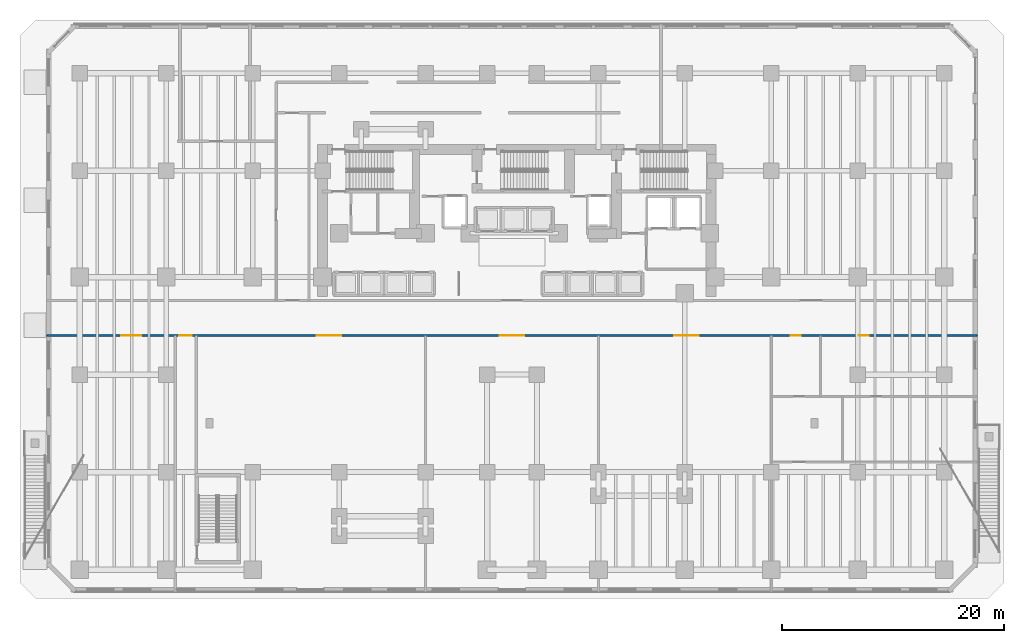
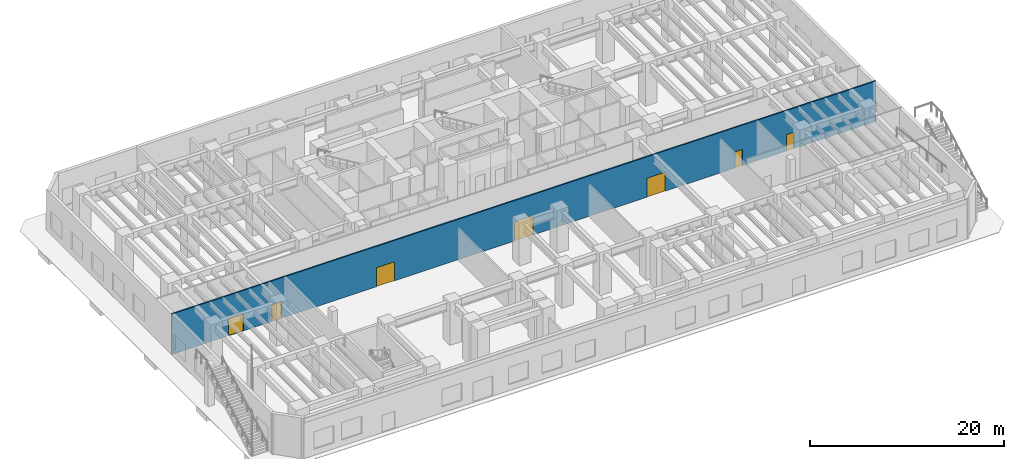
# One storey, part 6 of 17: 7 doors, 1 wall, 7 openings.
"""IFC4 building model written with IfcOpenShell, lengths in metres."""

from ifc_helpers import new_model, si_unit, direction, frame, frame_2d, origin, place, context, subcontext, project, spatial, rectangle, extrude, material, layer, layer_set, type_object, element, fill, save


model = new_model("IFC4")

# Units and contexts
model_context = context("Model", 3, precision=1e-05, world=origin(), true_north=direction((0.0, 1.0)))
body_context = subcontext(model_context, "Body", "Model", "MODEL_VIEW")
ifc_project = project(units=[si_unit("LENGTHUNIT", "METRE"), si_unit("AREAUNIT", "SQUARE_METRE"), si_unit("VOLUMEUNIT", "CUBIC_METRE"), si_unit("PLANEANGLEUNIT", "RADIAN"), si_unit("MASSUNIT", "GRAM", prefix="KILO")], contexts=[model_context])

# Site, building, storey
site_placement = place(None, origin())
site = spatial("IfcSite", under=ifc_project, at=site_placement, CompositionType="ELEMENT")
building_placement = place(site_placement, origin())
building = spatial("IfcBuilding", under=site, at=building_placement, Name="Kestravale Grand Hotel", CompositionType="ELEMENT")
storey_placement = place(building_placement, origin())
storey = spatial("IfcBuildingStorey", under=building, at=storey_placement, Name="L00", CompositionType="ELEMENT", Elevation=0.0)

# Wall, openings, doors
ifc_material_1 = material(Name="Acoustic fire-rated gypsum board partition", Category="other")
ifc_layer = layer(ifc_material_1, 0.159912109375)
ifc_layer_set = layer_set([ifc_layer], Name="IW-CORR-160")
wall_type = type_object("IfcWallType", Name="IW-CORR-160", PredefinedType="PARTITIONING", material=ifc_layer_set)
wall_placement = place(storey_placement, frame((-2.97998046875, 23.52001953125, 0.0), z_axis=(0.0, 0.0, 1.0), x_axis=(1.0, 0.0, 0.0)))
wall = element("IfcWall", 1, at=wall_placement, inside=storey, type_object=wall_type, Name="W-L00-MC-S", PredefinedType="PARTITIONING", context=body_context, shape_type="SweptSolid", body=[
    extrude(rectangle(XDim=83.9599609375, YDim=0.159912109375, at=frame_2d((41.97998046875, 0.0))), origin(), (0.0, 0.0, 1.0), 5.10009765625),
])
opening_1_placement = place(wall_placement, frame((11.9599609375, 0.0, 0.0)))
opening_1 = element("IfcOpeningElement", 2, at=opening_1_placement, cuts=wall, Name="Opening D-CORR-1100", PredefinedType="OPENING", context=body_context, shape_type="SweptSolid", body=[
    extrude(rectangle(XDim=1.10009765625, YDim=2.14990234375, at=frame_2d((0.550048828125, 1.074951171875))), frame((0.0, 0.08984375, 0.0), z_axis=(0.0, -1.0, 0.0), x_axis=(1.0, 0.0, 0.0)), (0.0, 0.0, 1.0), 0.179931640625),
])
opening_2_placement = place(wall_placement, frame((6.72998046875, 0.0, 0.0)))
opening_2 = element("IfcOpeningElement", 3, at=opening_2_placement, cuts=wall, Name="Opening D-CORR-1800", PredefinedType="OPENING", context=body_context, shape_type="SweptSolid", body=[
    extrude(rectangle(XDim=1.800048828125, YDim=2.199951171875, at=frame_2d((0.89990234375, 1.10009765625))), frame((0.0, 0.08984375, 0.0), z_axis=(0.0, -1.0, 0.0), x_axis=(1.0, 0.0, 0.0)), (0.0, 0.0, 1.0), 0.179931640625),
])
opening_3_placement = place(wall_placement, frame((24.3798828125, 0.0, 0.0)))
opening_3 = element("IfcOpeningElement", 4, at=opening_3_placement, cuts=wall, Name="Opening D-BAL-2200", PredefinedType="OPENING", context=body_context, shape_type="SweptSolid", body=[
    extrude(rectangle(XDim=2.199951171875, YDim=2.39990234375, at=frame_2d((1.10009765625, 1.199951171875))), frame((0.0, 0.08984375, 0.0), z_axis=(0.0, -1.0, 0.0), x_axis=(1.0, 0.0, 0.0)), (0.0, 0.0, 1.0), 0.179931640625),
])
opening_4_placement = place(wall_placement, frame((40.8798828125, 0.0, 0.0)))
opening_4 = element("IfcOpeningElement", 5, at=opening_4_placement, cuts=wall, Name="Opening D-BAL-2200", PredefinedType="OPENING", context=body_context, shape_type="SweptSolid", body=[
    extrude(rectangle(XDim=2.199951171875, YDim=2.39990234375, at=frame_2d((1.10009765625, 1.199951171875))), frame((0.0, 0.08984375, 0.0), z_axis=(0.0, -1.0, 0.0), x_axis=(1.0, 0.0, 0.0)), (0.0, 0.0, 1.0), 0.179931640625),
])
opening_5_placement = place(wall_placement, frame((56.6298828125, 0.0, 0.0)))
opening_5 = element("IfcOpeningElement", 6, at=opening_5_placement, cuts=wall, Name="Opening D-BAL-2200", PredefinedType="OPENING", context=body_context, shape_type="SweptSolid", body=[
    extrude(rectangle(XDim=2.199951171875, YDim=2.39990234375, at=frame_2d((1.10009765625, 1.199951171875))), frame((0.0, 0.08984375, 0.0), z_axis=(0.0, -1.0, 0.0), x_axis=(1.0, 0.0, 0.0)), (0.0, 0.0, 1.0), 0.179931640625),
])
opening_6_placement = place(wall_placement, frame((67.139892578125, 0.0, 0.0)))
opening_6 = element("IfcOpeningElement", 7, at=opening_6_placement, cuts=wall, Name="Opening D-BATH-880", PredefinedType="OPENING", context=body_context, shape_type="SweptSolid", body=[
    extrude(rectangle(XDim=0.8798828125, YDim=2.050048828125, at=frame_2d((0.43994140625, 1.02490234375))), frame((0.0, 0.08984375, 0.0), z_axis=(0.0, -1.0, 0.0), x_axis=(1.0, 0.0, 0.0)), (0.0, 0.0, 1.0), 0.179931640625),
])
opening_7_placement = place(wall_placement, frame((73.2900390625, 0.0, 0.0)))
opening_7 = element("IfcOpeningElement", 8, at=opening_7_placement, cuts=wall, Name="Opening D-BATH-880", PredefinedType="OPENING", context=body_context, shape_type="SweptSolid", body=[
    extrude(rectangle(XDim=0.8798828125, YDim=2.050048828125, at=frame_2d((0.43994140625, 1.02490234375))), frame((0.0, 0.08984375, 0.0), z_axis=(0.0, -1.0, 0.0), x_axis=(1.0, 0.0, 0.0)), (0.0, 0.0, 1.0), 0.179931640625),
])
ifc_material_2 = material(Name="Monumental walnut and bronze ballroom double fire door", Category="wood")
door_type_1 = type_object("IfcDoorType", Name="D-BAL-2200", OperationType="NOTDEFINED", PredefinedType="DOOR", material=ifc_material_2)
door_1_placement = place(opening_3_placement, origin())
door_1 = element("IfcDoor", 9, at=door_1_placement, inside=storey, type_object=door_type_1, Name="D-L00-LOBBY", OperationType="DOUBLE_DOOR_SINGLE_SWING", OverallHeight=2.39990234375, OverallWidth=2.199951171875, PredefinedType="DOOR", context=body_context, shape_type="SweptSolid", body=[
    extrude(rectangle(XDim=2.199951171875, YDim=2.39990234375, at=frame_2d((1.10009765625, 1.199951171875))), frame((0.0, 0.02490234375, 0.0), z_axis=(0.0, -1.0, 0.0), x_axis=(1.0, 0.0, 0.0)), (0.0, 0.0, 1.0), 0.050048828125),
])
fill(opening_3, door_1)
door_2_placement = place(opening_4_placement, origin())
door_2 = element("IfcDoor", 10, at=door_2_placement, inside=storey, type_object=door_type_1, Name="D-L00-OBSTICK", OperationType="DOUBLE_DOOR_SINGLE_SWING", OverallHeight=2.39990234375, OverallWidth=2.199951171875, PredefinedType="DOOR", context=body_context, shape_type="SweptSolid", body=[
    extrude(rectangle(XDim=2.199951171875, YDim=2.39990234375, at=frame_2d((1.10009765625, 1.199951171875))), frame((0.0, 0.02490234375, 0.0), z_axis=(0.0, -1.0, 0.0), x_axis=(1.0, 0.0, 0.0)), (0.0, 0.0, 1.0), 0.050048828125),
])
fill(opening_4, door_2)
door_3_placement = place(opening_5_placement, origin())
door_3 = element("IfcDoor", 11, at=door_3_placement, inside=storey, type_object=door_type_1, Name="D-L00-BRASS", OperationType="DOUBLE_DOOR_SINGLE_SWING", OverallHeight=2.39990234375, OverallWidth=2.199951171875, PredefinedType="DOOR", context=body_context, shape_type="SweptSolid", body=[
    extrude(rectangle(XDim=2.199951171875, YDim=2.39990234375, at=frame_2d((1.10009765625, 1.199951171875))), frame((0.0, 0.02490234375, 0.0), z_axis=(0.0, -1.0, 0.0), x_axis=(1.0, 0.0, 0.0)), (0.0, 0.0, 1.0), 0.050048828125),
])
fill(opening_5, door_3)
ifc_material_3 = material(Name="Moisture-sealed walnut en-suite bathroom door", Category="wood")
door_type_2 = type_object("IfcDoorType", Name="D-BATH-880", OperationType="NOTDEFINED", PredefinedType="DOOR", material=ifc_material_3)
door_4_placement = place(opening_6_placement, origin())
door_4 = element("IfcDoor", 12, at=door_4_placement, inside=storey, type_object=door_type_2, Name="D-L00-WCA", OperationType="SINGLE_SWING_LEFT", OverallHeight=2.050048828125, OverallWidth=0.8798828125, PredefinedType="DOOR", context=body_context, shape_type="SweptSolid", body=[
    extrude(rectangle(XDim=0.8798828125, YDim=2.050048828125, at=frame_2d((0.43994140625, 1.02490234375))), frame((0.0, 0.02490234375, 0.0), z_axis=(0.0, -1.0, 0.0), x_axis=(1.0, 0.0, 0.0)), (0.0, 0.0, 1.0), 0.050048828125),
])
fill(opening_6, door_4)
door_5_placement = place(opening_7_placement, origin())
door_5 = element("IfcDoor", 13, at=door_5_placement, inside=storey, type_object=door_type_2, Name="D-L00-WCFA", OperationType="SINGLE_SWING_RIGHT", OverallHeight=2.050048828125, OverallWidth=0.8798828125, PredefinedType="DOOR", context=body_context, shape_type="SweptSolid", body=[
    extrude(rectangle(XDim=0.8798828125, YDim=2.050048828125, at=frame_2d((0.43994140625, 1.02490234375))), frame((0.0, 0.02490234375, 0.0), z_axis=(0.0, -1.0, 0.0), x_axis=(1.0, 0.0, 0.0)), (0.0, 0.0, 1.0), 0.050048828125),
])
fill(opening_7, door_5)
ifc_material_4 = material(Name="Single-leaf service vestibule fire door", Category="steel")
door_type_3 = type_object("IfcDoorType", Name="D-CORR-1100", OperationType="NOTDEFINED", PredefinedType="DOOR", material=ifc_material_4)
door_6_placement = place(opening_1_placement, origin())
door_6 = element("IfcDoor", 14, at=door_6_placement, inside=storey, type_object=door_type_3, Name="L00 ST-4 Corridor North Door", OperationType="SINGLE_SWING_RIGHT", OverallHeight=2.14990234375, OverallWidth=1.10009765625, PredefinedType="DOOR", context=body_context, shape_type="SweptSolid", body=[
    extrude(rectangle(XDim=1.10009765625, YDim=2.14990234375, at=frame_2d((0.550048828125, 1.074951171875))), frame((0.0, 0.02490234375, 0.0), z_axis=(0.0, -1.0, 0.0), x_axis=(1.0, 0.0, 0.0)), (0.0, 0.0, 1.0), 0.050048828125),
])
fill(opening_1, door_6)
ifc_material_5 = material(Name="Double-leaf glazed bronze acoustic corridor fire door", Category="aluminium")
door_type_4 = type_object("IfcDoorType", Name="D-CORR-1800", OperationType="NOTDEFINED", PredefinedType="DOOR", material=ifc_material_5)
door_7_placement = place(opening_2_placement, origin())
door_7 = element("IfcDoor", 15, at=door_7_placement, inside=storey, type_object=door_type_4, Name="D-L00-WLOB", OperationType="DOUBLE_DOOR_SINGLE_SWING", OverallHeight=2.199951171875, OverallWidth=1.800048828125, PredefinedType="DOOR", context=body_context, shape_type="SweptSolid", body=[
    extrude(rectangle(XDim=1.800048828125, YDim=2.199951171875, at=frame_2d((0.89990234375, 1.10009765625))), frame((0.0, 0.02490234375, 0.0), z_axis=(0.0, -1.0, 0.0), x_axis=(1.0, 0.0, 0.0)), (0.0, 0.0, 1.0), 0.050048828125),
])
fill(opening_2, door_7)

save(model, "model.ifc")
